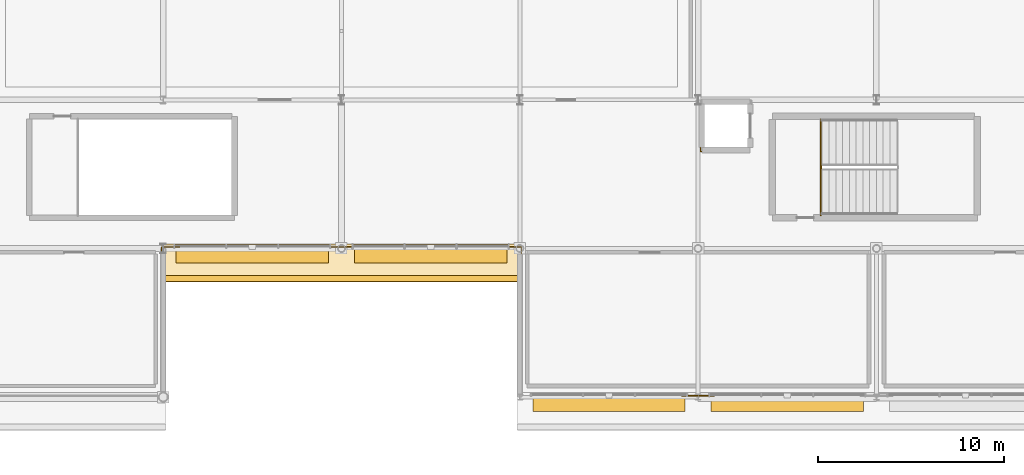
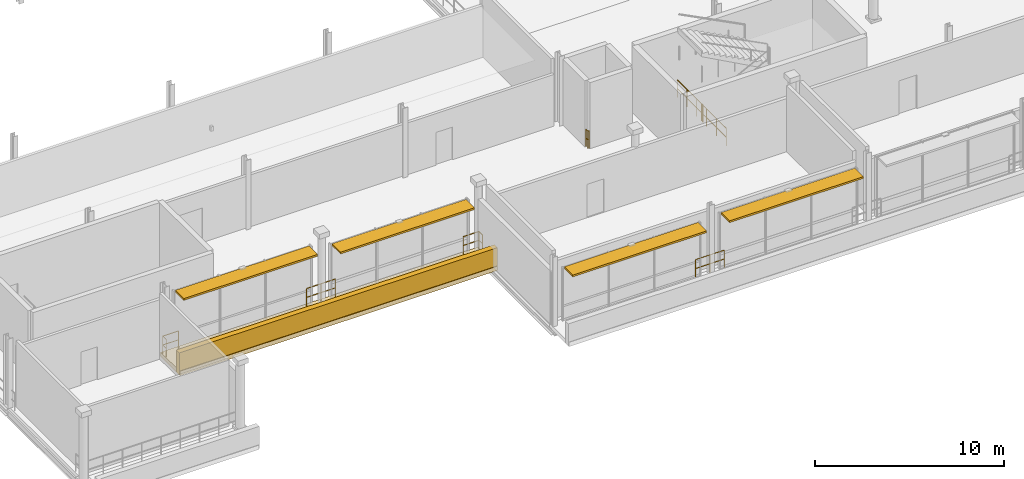
# One storey, part 184 of 193: 7 railings, 4 shading devices, 2 coverings.
"""IFC4 building model written with IfcOpenShell, lengths in metres."""

from ifc_helpers import new_model, si_unit, direction, frame, origin, origin_2d, place, context, subcontext, project, spatial, rectangle, circle, extrude, material, layer, layer_set, type_object, element, save


model = new_model("IFC4")

# Units and contexts
model_context = context("Model", 3, precision=1e-05, world=origin(), true_north=direction((0.0, 1.0)))
body_context = subcontext(model_context, "Body", "Model", "MODEL_VIEW")
ifc_project = project(units=[si_unit("LENGTHUNIT", "METRE"), si_unit("AREAUNIT", "SQUARE_METRE"), si_unit("VOLUMEUNIT", "CUBIC_METRE"), si_unit("PLANEANGLEUNIT", "RADIAN"), si_unit("MASSUNIT", "GRAM", prefix="KILO")], contexts=[model_context])

# Site, building, storey
site_placement = place(None, origin())
site = spatial("IfcSite", under=ifc_project, at=site_placement, CompositionType="ELEMENT")
building_placement = place(site_placement, origin())
building = spatial("IfcBuilding", under=site, at=building_placement, Name="Danafjord Basin Convention Centre", CompositionType="ELEMENT")
storey_placement = place(building_placement, frame((0.0, 0.0, 11.39990234375)))
storey = spatial("IfcBuildingStorey", under=building, at=storey_placement, Name="L02", CompositionType="ELEMENT", Elevation=11.39990234375)

# Coverings
ifc_material_1 = material(Name="Architectural white precast concrete C45/55", Category="concrete")
ifc_layer = layer(ifc_material_1, 0.320068359375)
ifc_layer_set = layer_set([ifc_layer], Name="Architectural white precast concrete C45/55")
covering_type = type_object("IfcCoveringType", Name="COV-BAND-HORIZ", PredefinedType="CLADDING", material=ifc_layer_set)
covering_1_placement = place(storey_placement, frame((163.199951171875, 7.22509765625, -0.27978515625), z_axis=(0.0, 0.0, 1.0), x_axis=(1.0, 0.0, 0.0)))
element("IfcCovering", 1, at=covering_1_placement, inside=storey, type_object=covering_type, Name="L02 stepped horizontal band soffit plate 64", PredefinedType="CLADDING", context=body_context, shape_type="SweptSolid", body=[
    extrude(rectangle(XDim=19.43994140625, YDim=2.050048828125, at=origin_2d()), origin(), (0.0, 0.0, 1.0), 0.280029296875),
])
covering_2_placement = place(storey_placement, frame((163.199951171875, 6.389892578125, -0.23974609375), z_axis=(0.0, 0.0, 1.0), x_axis=(1.0, 0.0, 0.0)))
element("IfcCovering", 2, at=covering_2_placement, inside=storey, type_object=covering_type, Name="L02 layered horizontal white spandrel band 64", PredefinedType="CLADDING", context=body_context, shape_type="SweptSolid", body=[
    extrude(rectangle(XDim=19.47998046875, YDim=0.320068359375, at=origin_2d()), origin(), (0.0, 0.0, 1.0), 1.419921875),
])

# Railings
ifc_material_2 = material(Name="Laminated structural glass and stainless steel", Category="steel")
railing_type_1 = type_object("IfcRailingType", Name="RL-BAL-GLS", PredefinedType="BALUSTRADE", material=ifc_material_2)
railing_1_placement = place(storey_placement, frame((172.8798828125, 7.719970703125, 0.0)))
element("IfcRailing", 3, at=railing_1_placement, inside=storey, type_object=railing_type_1, Name="L02 safety guard balustrade 130", PredefinedType="BALUSTRADE", context=body_context, shape_type="SweptSolid", body=[
    extrude(circle(Radius=0.02392578125, at=origin_2d()), frame((0.0, 0.0, 1.1259765625), z_axis=(0.0, 1.0, 0.0), x_axis=(-1.0, 0.0, 0.0)), (0.0, 0.0, 1.0), 0.360107421875),
    extrude(circle(Radius=0.02392578125, at=origin_2d()), frame((0.0, 0.0, 0.55078125), z_axis=(0.0, 1.0, 0.0), x_axis=(-1.0, 0.0, 0.0)), (0.0, 0.0, 1.0), 0.360107421875),
    extrude(circle(Radius=0.02392578125, at=origin_2d()), frame((0.0, 0.360107421875, 1.1259765625), z_axis=(-1.0, 0.0, 0.0), x_axis=(0.0, -1.0, 0.0)), (0.0, 0.0, 1.0), 0.9599609375),
    extrude(circle(Radius=0.02392578125, at=origin_2d()), frame((0.0, 0.360107421875, 0.55078125), z_axis=(-1.0, 0.0, 0.0), x_axis=(0.0, -1.0, 0.0)), (0.0, 0.0, 1.0), 0.9599609375),
    extrude(circle(Radius=0.02099609375, at=origin_2d()), origin(), (0.0, 0.0, 1.0), 1.099853515625),
    extrude(circle(Radius=0.02099609375, at=origin_2d()), frame((0.0, 0.360107421875, 0.0)), (0.0, 0.0, 1.0), 1.099853515625),
    extrude(circle(Radius=0.02099609375, at=origin_2d()), frame((-0.9599609375, 0.360107421875, 0.0)), (0.0, 0.0, 1.0), 1.099853515625),
])
railing_2_placement = place(storey_placement, frame((164.080078125, 8.080078125, 0.0)))
element("IfcRailing", 4, at=railing_2_placement, inside=storey, type_object=railing_type_1, Name="L02 safety guard balustrade 131", PredefinedType="BALUSTRADE", context=body_context, shape_type="SweptSolid", body=[
    extrude(circle(Radius=0.02392578125, at=origin_2d()), frame((0.0, 0.0, 1.1259765625), z_axis=(-1.0, 0.0, 0.0), x_axis=(0.0, -1.0, 0.0)), (0.0, 0.0, 1.0), 1.760009765625),
    extrude(circle(Radius=0.02392578125, at=origin_2d()), frame((0.0, 0.0, 0.55078125), z_axis=(-1.0, 0.0, 0.0), x_axis=(0.0, -1.0, 0.0)), (0.0, 0.0, 1.0), 1.760009765625),
    extrude(circle(Radius=0.02099609375, at=origin_2d()), origin(), (0.0, 0.0, 1.0), 1.099853515625),
    extrude(circle(Radius=0.02099609375, at=origin_2d()), frame((-0.8798828125, 0.0, 0.0)), (0.0, 0.0, 1.0), 1.099853515625),
    extrude(circle(Radius=0.02099609375, at=origin_2d()), frame((-1.760009765625, 0.0, 0.0)), (0.0, 0.0, 1.0), 1.099853515625),
])
railing_3_placement = place(storey_placement, frame((154.47998046875, 8.080078125, 0.0)))
element("IfcRailing", 5, at=railing_3_placement, inside=storey, type_object=railing_type_1, Name="L02 safety guard balustrade 132", PredefinedType="BALUSTRADE", context=body_context, shape_type="SweptSolid", body=[
    extrude(circle(Radius=0.02392578125, at=origin_2d()), frame((0.0, 0.0, 1.1259765625), z_axis=(-1.0, 0.0, 0.0), x_axis=(0.0, -1.0, 0.0)), (0.0, 0.0, 1.0), 0.9599609375),
    extrude(circle(Radius=0.02392578125, at=origin_2d()), frame((0.0, 0.0, 0.55078125), z_axis=(-1.0, 0.0, 0.0), x_axis=(0.0, -1.0, 0.0)), (0.0, 0.0, 1.0), 0.9599609375),
    extrude(circle(Radius=0.02392578125, at=origin_2d()), frame((-0.9599609375, 0.0, 1.1259765625), z_axis=(0.0, -1.0, 0.0), x_axis=(1.0, 0.0, 0.0)), (0.0, 0.0, 1.0), 0.360107421875),
    extrude(circle(Radius=0.02392578125, at=origin_2d()), frame((-0.9599609375, 0.0, 0.55078125), z_axis=(0.0, -1.0, 0.0), x_axis=(1.0, 0.0, 0.0)), (0.0, 0.0, 1.0), 0.360107421875),
    extrude(circle(Radius=0.02099609375, at=origin_2d()), origin(), (0.0, 0.0, 1.0), 1.099853515625),
    extrude(circle(Radius=0.02099609375, at=origin_2d()), frame((-0.9599609375, 0.0, 0.0)), (0.0, 0.0, 1.0), 1.099853515625),
    extrude(circle(Radius=0.02099609375, at=origin_2d()), frame((-0.9599609375, -0.360107421875, 0.0)), (0.0, 0.0, 1.0), 1.099853515625),
])
railing_4_placement = place(storey_placement, frame((183.280029296875, 0.080078125, 0.0)))
element("IfcRailing", 6, at=railing_4_placement, inside=storey, type_object=railing_type_1, Name="L02 safety guard balustrade 138", PredefinedType="BALUSTRADE", context=body_context, shape_type="SweptSolid", body=[
    extrude(circle(Radius=0.02392578125, at=origin_2d()), frame((0.0, 0.0, 1.1259765625), z_axis=(-1.0, 0.0, 0.0), x_axis=(0.0, -1.0, 0.0)), (0.0, 0.0, 1.0), 1.760009765625),
    extrude(circle(Radius=0.02392578125, at=origin_2d()), frame((0.0, 0.0, 0.55078125), z_axis=(-1.0, 0.0, 0.0), x_axis=(0.0, -1.0, 0.0)), (0.0, 0.0, 1.0), 1.760009765625),
    extrude(circle(Radius=0.02099609375, at=origin_2d()), origin(), (0.0, 0.0, 1.0), 1.099853515625),
    extrude(circle(Radius=0.02099609375, at=origin_2d()), frame((-0.8798828125, 0.0, 0.0)), (0.0, 0.0, 1.0), 1.099853515625),
    extrude(circle(Radius=0.02099609375, at=origin_2d()), frame((-1.760009765625, 0.0, 0.0)), (0.0, 0.0, 1.0), 1.099853515625),
])
railing_5_placement = place(storey_placement, frame((189.0, 14.97509765625, 0.0)))
element("IfcRailing", 7, at=railing_5_placement, inside=storey, type_object=railing_type_1, Name="L02 safety guard balustrade 144", PredefinedType="BALUSTRADE", context=body_context, shape_type="SweptSolid", body=[
    extrude(circle(Radius=0.02392578125, at=origin_2d()), frame((0.0, 0.0, 1.1259765625), z_axis=(0.0, -1.0, 0.0), x_axis=(1.0, 0.0, 0.0)), (0.0, 0.0, 1.0), 5.190185546875),
    extrude(circle(Radius=0.02392578125, at=origin_2d()), frame((0.0, 0.0, 0.55078125), z_axis=(0.0, -1.0, 0.0), x_axis=(1.0, 0.0, 0.0)), (0.0, 0.0, 1.0), 5.190185546875),
    extrude(circle(Radius=0.02099609375, at=origin_2d()), origin(), (0.0, 0.0, 1.0), 1.099853515625),
    extrude(circle(Radius=0.02099609375, at=origin_2d()), frame((0.0, -1.0380859375, 0.0)), (0.0, 0.0, 1.0), 1.099853515625),
    extrude(circle(Radius=0.02099609375, at=origin_2d()), frame((0.0, -2.076171875, 0.0)), (0.0, 0.0, 1.0), 1.099853515625),
    extrude(circle(Radius=0.02099609375, at=origin_2d()), frame((0.0, -3.114013671875, 0.0)), (0.0, 0.0, 1.0), 1.099853515625),
    extrude(circle(Radius=0.02099609375, at=origin_2d()), frame((0.0, -4.152099609375, 0.0)), (0.0, 0.0, 1.0), 1.099853515625),
    extrude(circle(Radius=0.02099609375, at=origin_2d()), frame((0.0, -5.190185546875, 0.0)), (0.0, 0.0, 1.0), 1.099853515625),
])
ifc_material_3 = material(Name="Galvanised and powder-coated steel S355", Category="steel")
railing_type_2 = type_object("IfcRailingType", Name="RL-BAL-STL", PredefinedType="BALUSTRADE", material=ifc_material_3)
railing_6_placement = place(storey_placement, frame((182.52001953125, 13.43505859375, 0.0)))
element("IfcRailing", 8, at=railing_6_placement, inside=storey, type_object=railing_type_2, Name="L02 safety guard balustrade 147", PredefinedType="BALUSTRADE", context=body_context, shape_type="SweptSolid", body=[
    extrude(circle(Radius=0.02392578125, at=origin_2d()), frame((0.0, 0.0, 1.1259765625), z_axis=(0.0, -1.0, 0.0), x_axis=(1.0, 0.0, 0.0)), (0.0, 0.0, 1.0), 0.215087890625),
    extrude(circle(Radius=0.02392578125, at=origin_2d()), frame((0.0, 0.0, 0.55078125), z_axis=(0.0, -1.0, 0.0), x_axis=(1.0, 0.0, 0.0)), (0.0, 0.0, 1.0), 0.215087890625),
    extrude(circle(Radius=0.02392578125, at=origin_2d()), frame((0.0, -0.215087890625, 1.1259765625), z_axis=(1.0, 0.0, 0.0), x_axis=(0.0, 1.0, 0.0)), (0.0, 0.0, 1.0), 0.080078125),
    extrude(circle(Radius=0.02392578125, at=origin_2d()), frame((0.0, -0.215087890625, 0.55078125), z_axis=(1.0, 0.0, 0.0), x_axis=(0.0, 1.0, 0.0)), (0.0, 0.0, 1.0), 0.080078125),
    extrude(circle(Radius=0.02099609375, at=origin_2d()), origin(), (0.0, 0.0, 1.0), 1.099853515625),
    extrude(circle(Radius=0.02099609375, at=origin_2d()), frame((0.0, -0.215087890625, 0.0)), (0.0, 0.0, 1.0), 1.099853515625),
    extrude(circle(Radius=0.02099609375, at=origin_2d()), frame((0.080078125, -0.215087890625, 0.0)), (0.0, 0.0, 1.0), 1.099853515625),
])
ifc_material_4 = material(Name="Galvanised steel S355", Category="steel")
railing_type_3 = type_object("IfcRailingType", Name="RL-GD-WELL", PredefinedType="BALUSTRADE", material=ifc_material_4)
railing_7_placement = place(storey_placement, frame((189.030029296875, 12.31005859375, 0.0)))
element("IfcRailing", 9, at=railing_7_placement, inside=storey, type_object=railing_type_3, Name="L02 ST-15 stair guard 4", PredefinedType="BALUSTRADE", context=body_context, shape_type="SweptSolid", body=[
    extrude(circle(Radius=0.02392578125, at=origin_2d()), frame((0.0, 0.0, 1.076171875), z_axis=(0.0, 1.0, 0.0), x_axis=(-1.0, 0.0, 0.0)), (0.0, 0.0, 1.0), 0.139892578125),
    extrude(circle(Radius=0.02392578125, at=origin_2d()), frame((0.0, 0.0, 0.52587890625), z_axis=(0.0, 1.0, 0.0), x_axis=(-1.0, 0.0, 0.0)), (0.0, 0.0, 1.0), 0.139892578125),
    extrude(circle(Radius=0.02099609375, at=origin_2d()), origin(), (0.0, 0.0, 1.0), 1.050048828125),
    extrude(circle(Radius=0.02099609375, at=origin_2d()), frame((0.0, 0.139892578125, 0.0)), (0.0, 0.0, 1.0), 1.050048828125),
])

# Shading devices
ifc_material_5 = material(Name="Anodised aluminium aerofoil sunshade", Category="aluminium")
shading_device_type = type_object("IfcShadingDeviceType", Name="SHD-SUN-A", PredefinedType="USERDEFINED", material=ifc_material_5)
for number, where, z_axis, x_axis, name in (
    (10, (177.60009765625, -0.340087890625, 3.3359375), (0.0, 0.0, 1.0), (1.0, 0.0, 0.0), "L02 cantilevered harbour sunshade 17"),
    (11, (187.199951171875, -0.340087890625, 3.486083984375), (0.0, 0.0, 1.0), (1.0, 0.0, 0.0), "L02 cantilevered harbour sunshade 18"),
    (12, (158.39990234375, 7.659912109375, 3.68603515625), (0.0, 0.0, 1.0), (1.0, 0.0, 0.0), "L02 cantilevered harbour sunshade 29"),
    (13, (168.0, 7.659912109375, 3.3359375), (0.0, 0.0, 1.0), (1.0, 0.0, 0.0), "L02 cantilevered harbour sunshade 30"),
):
    element("IfcShadingDevice", number, at=place(storey_placement, frame(where, z_axis=z_axis, x_axis=x_axis)), inside=storey, type_object=shading_device_type, Name=name, ObjectType="SUNSHADE", PredefinedType="USERDEFINED", context=body_context, shape_type="SweptSolid", body=[
        extrude(rectangle(XDim=8.199951171875, YDim=0.89990234375, at=origin_2d()), origin(), (0.0, 0.0, 1.0), 0.1201171875),
    ])

save(model, "model.ifc")
